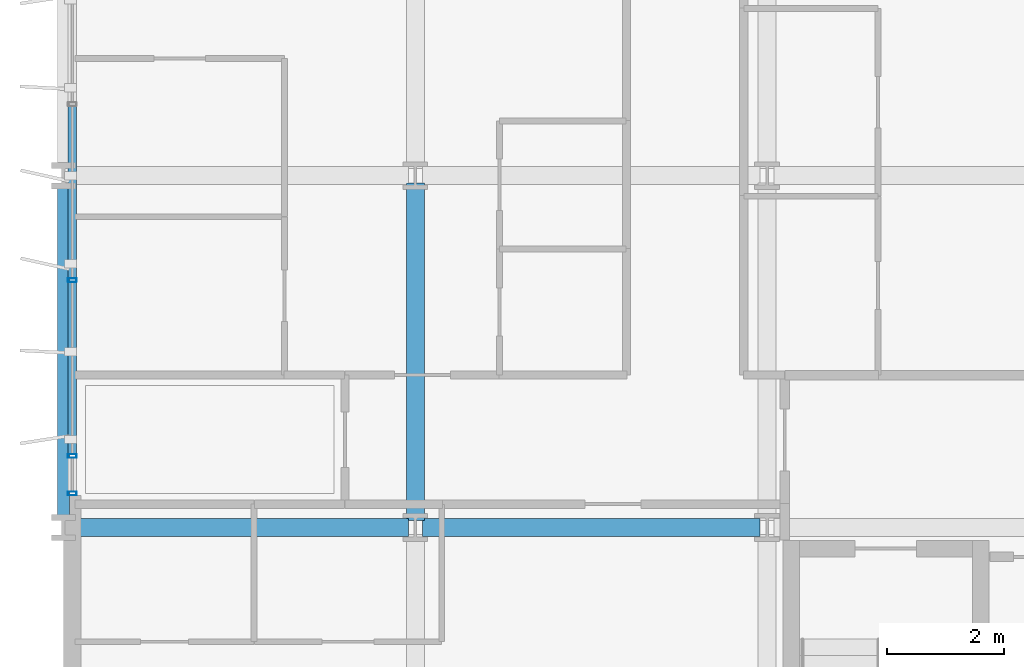
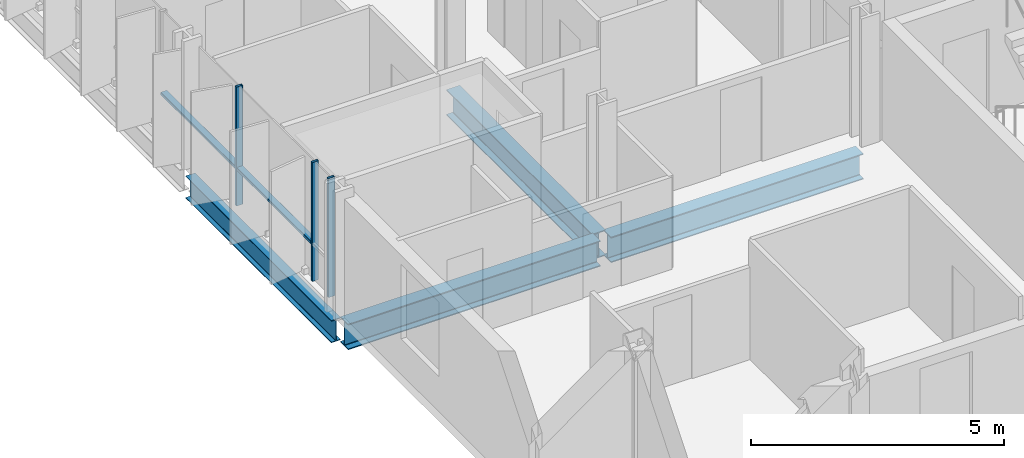
# One storey, part 2 of 38: 5 members, 4 beams, 1 element without a shape of its own.
"""IFC4 building model written with IfcOpenShell, lengths in metres."""

from ifc_helpers import new_model, si_unit, direction, frame, origin, origin_2d, place, context, subcontext, project, spatial, hollow_rectangle, i_section, extrude, material, layer, layer_set, material_profile, profile_set, type_object, element, aggregate, save


model = new_model("IFC4")

# Units and contexts
model_context = context("Model", 3, precision=1e-05, world=origin(), true_north=direction((0.0, 1.0)))
body_context = subcontext(model_context, "Body", "Model", "MODEL_VIEW")
ifc_project = project(units=[si_unit("LENGTHUNIT", "METRE"), si_unit("AREAUNIT", "SQUARE_METRE"), si_unit("VOLUMEUNIT", "CUBIC_METRE"), si_unit("PLANEANGLEUNIT", "RADIAN"), si_unit("MASSUNIT", "GRAM", prefix="KILO")], contexts=[model_context])

# Site, building, storey
site_placement = place(None, origin())
site = spatial("IfcSite", under=ifc_project, at=site_placement, CompositionType="ELEMENT")
building_placement = place(site_placement, origin())
building = spatial("IfcBuilding", under=site, at=building_placement, Name="Brevholm Reach", CompositionType="ELEMENT")
storey_placement = place(building_placement, frame((0.0, 0.0, 59.0)))
storey = spatial("IfcBuildingStorey", under=building, at=storey_placement, Name="L16", CompositionType="ELEMENT", Elevation=59.0)

# Beams
ifc_material_1 = material(Name="Structural Steel S355J2", Category="steel")
ifc_material_profile_1 = material_profile(ifc_material_1, i_section(OverallWidth=0.210693359375, OverallDepth=0.53955078125, WebThickness=0.01171875, FlangeThickness=0.018798828125, FilletRadius=0.0126953125, at=origin_2d()), Name="UKB 533x210x109")
ifc_profile_set_1 = profile_set([ifc_material_profile_1], Name="Structural Steel S355J2")
beam_type_1 = type_object("IfcBeamType", Name="BM-SP539", PredefinedType="SPANDREL", material=ifc_profile_set_1)
beam_placement = place(storey_placement, frame((0.0, 10.1201171875, -0.499755859375), z_axis=(0.0, 1.0, 0.0), x_axis=(-1.0, 0.0, 0.0)))
element("IfcBeam", 1, at=beam_placement, inside=storey, type_object=beam_type_1, Name="L16 SP-01B Framing Beam", PredefinedType="SPANDREL", context=body_context, shape_type="SweptSolid", body=[
    extrude(i_section(OverallWidth=0.210693359375, OverallDepth=0.53955078125, WebThickness=0.01171875, FlangeThickness=0.018798828125, FilletRadius=0.0126953125, at=origin_2d()), origin(), (0.0, 0.0, 1.0), 5.759765625),
])
ifc_material_2 = material(Name="Structural Steel S355J2", Category="steel")
ifc_material_profile_2 = material_profile(ifc_material_2, i_section(OverallWidth=0.30712890625, OverallDepth=0.6201171875, WebThickness=0.01416015625, FlangeThickness=0.023681640625, FilletRadius=0.0166015625, at=origin_2d()), Name="UKB 610x305x179")
ifc_profile_set_2 = profile_set([ifc_material_profile_2], Name="Structural Steel S355J2")
beam_type_2 = type_object("IfcBeamType", Name="BM-UKB610H", PredefinedType="USERDEFINED", material=ifc_profile_set_2)
for number, where, z_axis, x_axis, name in (
    (2, (0.1201171875, 10.0, -0.5400390625), (1.0, 0.0, 0.0), (0.0, 1.0, 0.0), "L16 G-06 Framing Beam"),
    (3, (6.1201171875, 10.0, -0.5400390625), (1.0, 0.0, 0.0), (0.0, 1.0, 0.0), "L16 G-06 Framing Beam"),
    (4, (6.0, 10.1201171875, -0.5400390625), (0.0, 1.0, 0.0), (-1.0, 0.0, 0.0), "L16 G-06 Framing Beam"),
):
    element("IfcBeam", number, at=place(storey_placement, frame(where, z_axis=z_axis, x_axis=x_axis)), inside=storey, type_object=beam_type_2, Name=name, ObjectType="GIRDER", PredefinedType="USERDEFINED", context=body_context, shape_type="SweptSolid", body=[
        extrude(i_section(OverallWidth=0.30712890625, OverallDepth=0.6201171875, WebThickness=0.01416015625, FlangeThickness=0.023681640625, FilletRadius=0.0166015625, at=origin_2d()), origin(), (0.0, 0.0, 1.0), 5.759765625),
    ])

# Curtain wall, members
ifc_material_3 = material(Name="Dark Anodised Aluminium 6063-T6 and Solar-Control Glass", Category="aluminium")
ifc_layer = layer(ifc_material_3, 0.14990234375)
ifc_layer_set = layer_set([ifc_layer], Name="Dark Anodised Aluminium 6063-T6 and Solar-Control Glass")
curtain_wall_type = type_object("IfcCurtainWallType", Name="CW-01", PredefinedType="NOTDEFINED", material=ifc_layer_set)
curtain_wall_placement = place(storey_placement, origin())
curtain_wall = element("IfcCurtainWall", 5, at=curtain_wall_placement, inside=storey, type_object=curtain_wall_type, Name="L16 Curtain Wall CW-01", PredefinedType="NOTDEFINED")
ifc_material_4 = material(Name="Dark Anodised Aluminium 6063-T6", Category="aluminium")
ifc_material_profile_3 = material_profile(ifc_material_4, hollow_rectangle(XDim=0.06494140625, YDim=0.14990234375, WallThickness=0.0048828125, InnerFilletRadius=0.0048828125, OuterFilletRadius=0.010009765625, at=origin_2d()), Name="RHS 150x65x5")
ifc_profile_set_3 = profile_set([ifc_material_profile_3], Name="Dark Anodised Aluminium 6063-T6")
member_type_1 = type_object("IfcMemberType", Name="CWM-150", PredefinedType="MULLION", material=ifc_profile_set_3)
member_1_placement = place(storey_placement, frame((0.14990234375, 14.219970703125, 0.0), z_axis=(0.0, 0.0, 1.0), x_axis=(0.0, -1.0, 0.0)))
member_1 = element("IfcMember", 6, at=member_1_placement, type_object=member_type_1, Name="CM-150 Mullion 4", PredefinedType="MULLION", context=body_context, shape_type="SweptSolid", body=[
    extrude(hollow_rectangle(XDim=0.06494140625, YDim=0.14990234375, WallThickness=0.0048828125, InnerFilletRadius=0.0048828125, OuterFilletRadius=0.010009765625, at=origin_2d()), origin(), (0.0, 0.0, 1.0), 2.8701171875),
])
member_2_placement = place(storey_placement, frame((0.14990234375, 11.219970703125, 0.0), z_axis=(0.0, 0.0, 1.0), x_axis=(0.0, -1.0, 0.0)))
member_2 = element("IfcMember", 7, at=member_2_placement, type_object=member_type_1, Name="CM-150 Mullion 5", PredefinedType="MULLION", context=body_context, shape_type="SweptSolid", body=[
    extrude(hollow_rectangle(XDim=0.06494140625, YDim=0.14990234375, WallThickness=0.0048828125, InnerFilletRadius=0.0048828125, OuterFilletRadius=0.010009765625, at=origin_2d()), origin(), (0.0, 0.0, 1.0), 2.8701171875),
])
member_3_placement = place(storey_placement, frame((0.14990234375, 10.58251953125, 0.0), z_axis=(0.0, 0.0, 1.0), x_axis=(0.0, -1.0, 0.0)))
member_3 = element("IfcMember", 8, at=member_3_placement, type_object=member_type_1, Name="CM-150 Mullion 6", PredefinedType="MULLION", context=body_context, shape_type="SweptSolid", body=[
    extrude(hollow_rectangle(XDim=0.06494140625, YDim=0.14990234375, WallThickness=0.0048828125, InnerFilletRadius=0.0048828125, OuterFilletRadius=0.010009765625, at=origin_2d()), origin(), (0.0, 0.0, 1.0), 2.8701171875),
])
ifc_material_5 = material(Name="Dark Anodised Aluminium 6063-T6", Category="aluminium")
ifc_material_profile_4 = material_profile(ifc_material_5, hollow_rectangle(XDim=0.06494140625, YDim=0.14990234375, WallThickness=0.0048828125, InnerFilletRadius=0.0048828125, OuterFilletRadius=0.010009765625, at=origin_2d()), Name="RHS 150x65x5")
ifc_profile_set_4 = profile_set([ifc_material_profile_4], Name="Dark Anodised Aluminium 6063-T6")
member_type_2 = type_object("IfcMemberType", Name="CWT-150", PredefinedType="NOTDEFINED", material=ifc_profile_set_4)
member_4_placement = place(storey_placement, frame((0.14990234375, 17.1875, 0.89990234375), z_axis=(0.0, -1.0, 0.0), x_axis=(0.0, 0.0, 1.0)))
member_4 = element("IfcMember", 9, at=member_4_placement, type_object=member_type_2, Name="CT-150 Transom 3.1", ObjectType="TRANSOM", PredefinedType="USERDEFINED", context=body_context, shape_type="SweptSolid", body=[
    extrude(hollow_rectangle(XDim=0.06494140625, YDim=0.14990234375, WallThickness=0.0048828125, InnerFilletRadius=0.0048828125, OuterFilletRadius=0.010009765625, at=origin_2d()), origin(), (0.0, 0.0, 1.0), 2.93505859375),
])
member_5_placement = place(storey_placement, frame((0.14990234375, 14.1875, 0.89990234375), z_axis=(0.0, -1.0, 0.0), x_axis=(0.0, 0.0, 1.0)))
member_5 = element("IfcMember", 10, at=member_5_placement, type_object=member_type_2, Name="CT-150 Transom 4.1", ObjectType="TRANSOM", PredefinedType="USERDEFINED", context=body_context, shape_type="SweptSolid", body=[
    extrude(hollow_rectangle(XDim=0.06494140625, YDim=0.14990234375, WallThickness=0.0048828125, InnerFilletRadius=0.0048828125, OuterFilletRadius=0.010009765625, at=origin_2d()), origin(), (0.0, 0.0, 1.0), 2.93505859375),
])
aggregate(curtain_wall, [member_1, member_2, member_3, member_4, member_5])

save(model, "model.ifc")
